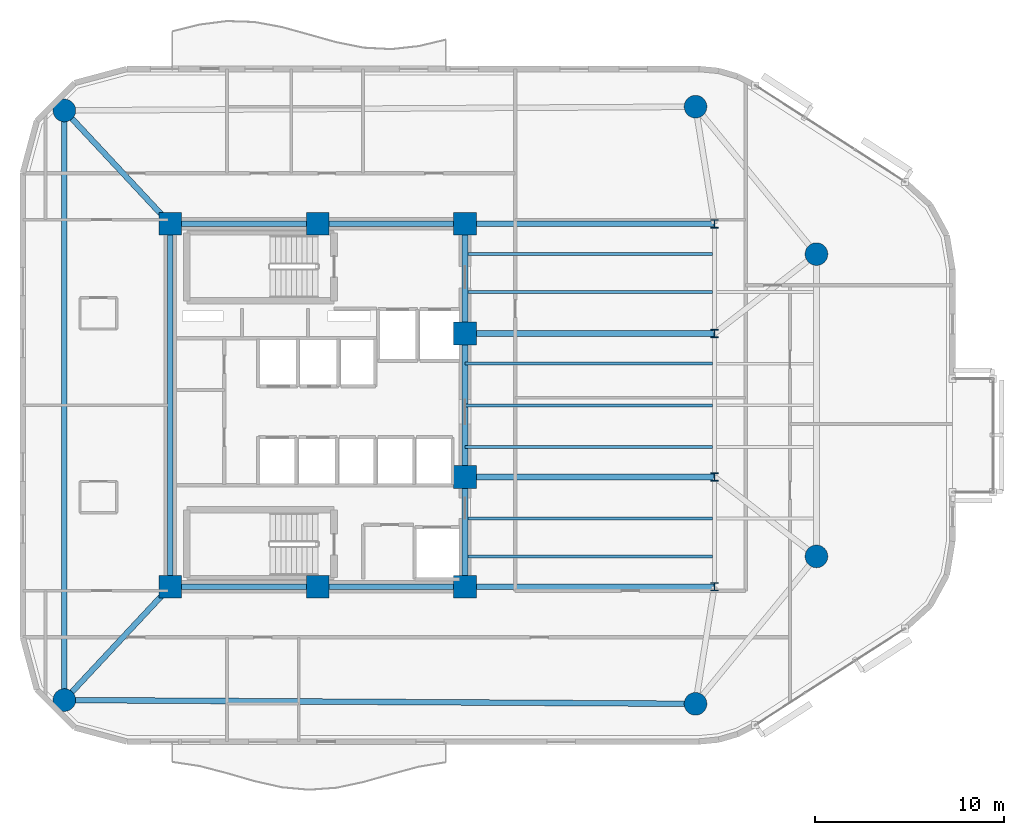
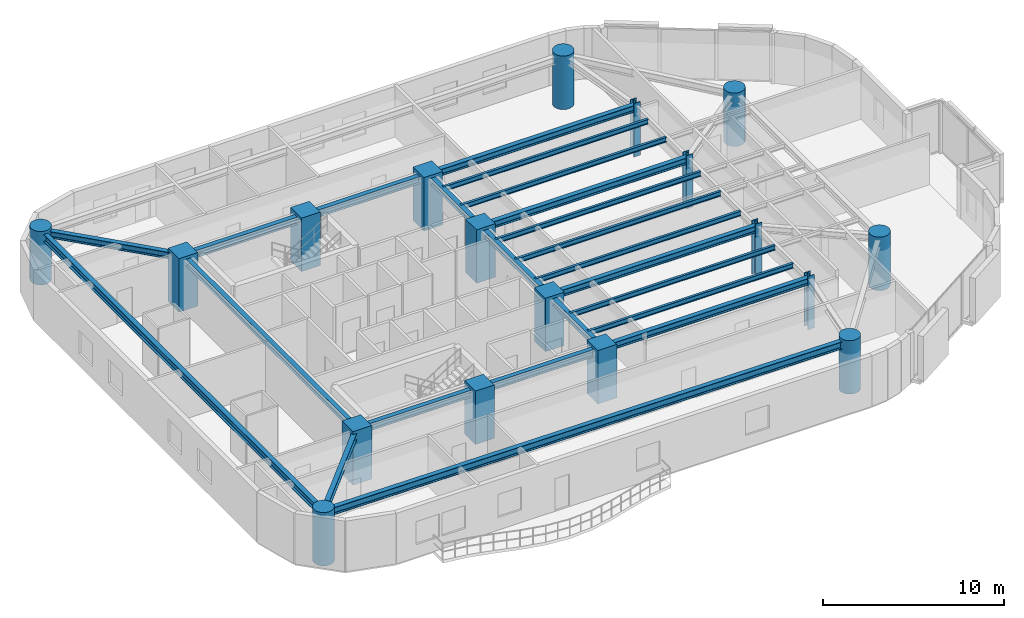
# One storey, part 1 of 16: 21 beams, 18 columns.
"""IFC4 building model written with IfcOpenShell, lengths in metres."""

from ifc_helpers import new_model, si_unit, direction, frame, origin, origin_2d, place, context, subcontext, project, spatial, rectangle, circle, i_section, extrude, material, material_profile, profile_set, type_object, element, save


model = new_model("IFC4")

# Units and contexts
model_context = context("Model", 3, precision=1e-05, world=origin(), true_north=direction((0.0, 1.0)))
body_context = subcontext(model_context, "Body", "Model", "MODEL_VIEW")
ifc_project = project(units=[si_unit("LENGTHUNIT", "METRE"), si_unit("AREAUNIT", "SQUARE_METRE"), si_unit("VOLUMEUNIT", "CUBIC_METRE"), si_unit("PLANEANGLEUNIT", "RADIAN"), si_unit("MASSUNIT", "GRAM", prefix="KILO")], contexts=[model_context])

# Site, building, storey
site_placement = place(None, origin())
site = spatial("IfcSite", under=ifc_project, at=site_placement, CompositionType="ELEMENT")
building_placement = place(site_placement, origin())
building = spatial("IfcBuilding", under=site, at=building_placement, Name="An Khanh Terracotta Commons", CompositionType="ELEMENT")
storey_placement = place(building_placement, frame((0.0, 0.0, 172.60009765625)))
storey = spatial("IfcBuildingStorey", under=building, at=storey_placement, Name="L45", CompositionType="ELEMENT", Elevation=172.60009765625)

# Columns
ifc_material_1 = material(Name="Concrete C60/75", Category="concrete")
ifc_material_profile_1 = material_profile(ifc_material_1, circle(Radius=0.60009765625, at=origin_2d()), Name="CFST1200")
ifc_profile_set_1 = profile_set([ifc_material_profile_1], Name="Concrete C60/75")
column_type_1 = type_object("IfcColumnType", Name="COL-CFST1200", PredefinedType="COLUMN", material=ifc_profile_set_1)
for number, where, z_axis, x_axis, name in (
    (1, (16.0, 8.39990234375, 0.0), (0.0, 0.0, 1.0), (1.0, 0.0, 0.0), "L45 Perimeter CFST Mega-Column MC-01"),
    (2, (49.39990234375, 8.199951171875, 0.0), (0.0, 0.0, 1.0), (1.0, 0.0, 0.0), "L45 Perimeter CFST Mega-Column MC-02"),
    (3, (55.800048828125, 16.0, 0.0), (0.0, 0.0, 1.0), (1.0, 0.0, 0.0), "L45 Perimeter CFST Mega-Column MC-03"),
    (4, (55.800048828125, 32.0, 0.0), (0.0, 0.0, 1.0), (1.0, 0.0, 0.0), "L45 Perimeter CFST Mega-Column MC-04"),
    (5, (49.39990234375, 39.800048828125, 0.0), (0.0, 0.0, 1.0), (1.0, 0.0, 0.0), "L45 Perimeter CFST Mega-Column MC-05"),
    (6, (16.0, 39.60009765625, 0.0), (0.0, 0.0, 1.0), (1.0, 0.0, 0.0), "L45 Perimeter CFST Mega-Column MC-06"),
):
    element("IfcColumn", number, at=place(storey_placement, frame(where, z_axis=z_axis, x_axis=x_axis)), inside=storey, type_object=column_type_1, Name=name, PredefinedType="COLUMN", context=body_context, shape_type="SweptSolid", body=[
        extrude(circle(Radius=0.60009765625, at=origin_2d()), origin(), (0.0, 0.0, 1.0), 3.599853515625),
    ])
ifc_material_2 = material(Name="Steel S460ML", Category="steel")
ifc_material_profile_2 = material_profile(ifc_material_2, i_section(OverallWidth=0.406005859375, OverallDepth=0.43994140625, WebThickness=0.02392578125, FlangeThickness=0.0390625, FilletRadius=0.014892578125, at=origin_2d()), Name="HD400x314")
ifc_profile_set_2 = profile_set([ifc_material_profile_2], Name="Steel S460ML")
column_type_2 = type_object("IfcColumnType", Name="COL-HD400x314", PredefinedType="COLUMN", material=ifc_profile_set_2)
for number, where, z_axis, x_axis, name in (
    (7, (50.39990234375, 14.39990234375, 0.0), (0.0, 0.0, 1.0), (1.0, 0.0, 0.0), "L45 Interior Frame Column TC-01"),
    (8, (50.39990234375, 20.199951171875, 0.0), (0.0, 0.0, 1.0), (1.0, 0.0, 0.0), "L45 Interior Frame Column TC-02"),
    (9, (50.39990234375, 27.800048828125, 0.0), (0.0, 0.0, 1.0), (1.0, 0.0, 0.0), "L45 Interior Frame Column TC-03"),
    (10, (50.39990234375, 33.60009765625, 0.0), (0.0, 0.0, 1.0), (1.0, 0.0, 0.0), "L45 Interior Frame Column TC-04"),
):
    element("IfcColumn", number, at=place(storey_placement, frame(where, z_axis=z_axis, x_axis=x_axis)), inside=storey, type_object=column_type_2, Name=name, PredefinedType="COLUMN", context=body_context, shape_type="SweptSolid", body=[
        extrude(i_section(OverallWidth=0.406005859375, OverallDepth=0.43994140625, WebThickness=0.02392578125, FlangeThickness=0.0390625, FilletRadius=0.014892578125, at=origin_2d()), origin(), (0.0, 0.0, 1.0), 3.599853515625),
    ])
ifc_material_profile_3 = material_profile(ifc_material_1, rectangle(XDim=1.199951171875, YDim=1.199951171875, at=origin_2d()), Name="RC1200x1200")
ifc_profile_set_3 = profile_set([ifc_material_profile_3], Name="Concrete C60/75")
column_type_3 = type_object("IfcColumnType", Name="COL-RC1200x1200", PredefinedType="COLUMN", material=ifc_profile_set_3)
for number, where, z_axis, x_axis, name in (
    (11, (21.60009765625, 14.39990234375, 0.0), (0.0, 0.0, 1.0), (1.0, 0.0, 0.0), "L45 Core Boundary Column CC-01"),
    (12, (29.39990234375, 14.39990234375, 0.0), (0.0, 0.0, 1.0), (1.0, 0.0, 0.0), "L45 Core Boundary Column CC-02"),
    (13, (37.199951171875, 14.39990234375, 0.0), (0.0, 0.0, 1.0), (1.0, 0.0, 0.0), "L45 Core Boundary Column CC-03"),
    (14, (37.199951171875, 20.199951171875, 0.0), (0.0, 0.0, 1.0), (1.0, 0.0, 0.0), "L45 Core Boundary Column CC-04"),
    (15, (37.199951171875, 27.800048828125, 0.0), (0.0, 0.0, 1.0), (1.0, 0.0, 0.0), "L45 Core Boundary Column CC-05"),
    (16, (37.199951171875, 33.60009765625, 0.0), (0.0, 0.0, 1.0), (1.0, 0.0, 0.0), "L45 Core Boundary Column CC-06"),
    (17, (29.39990234375, 33.60009765625, 0.0), (0.0, 0.0, 1.0), (1.0, 0.0, 0.0), "L45 Core Boundary Column CC-07"),
    (18, (21.60009765625, 33.60009765625, 0.0), (0.0, 0.0, 1.0), (1.0, 0.0, 0.0), "L45 Core Boundary Column CC-08"),
):
    element("IfcColumn", number, at=place(storey_placement, frame(where, z_axis=z_axis, x_axis=x_axis)), inside=storey, type_object=column_type_3, Name=name, PredefinedType="COLUMN", context=body_context, shape_type="SweptSolid", body=[
        extrude(rectangle(XDim=1.199951171875, YDim=1.199951171875, at=origin_2d()), origin(), (0.0, 0.0, 1.0), 3.599853515625),
    ])

# Beams
ifc_material_3 = material(Name="Steel S355J2", Category="steel")
ifc_material_profile_4 = material_profile(ifc_material_3, i_section(OverallWidth=0.300048828125, OverallDepth=0.449951171875, WebThickness=0.013916015625, FlangeThickness=0.02587890625, FilletRadius=0.027099609375, at=origin_2d()), Name="HEB450")
ifc_profile_set_4 = profile_set([ifc_material_profile_4], Name="Steel S355J2")
beam_type_1 = type_object("IfcBeamType", Name="BM-HEB450", PredefinedType="BEAM", material=ifc_profile_set_4)
beam_1_placement = place(storey_placement, frame((37.199951171875, 14.39990234375, 3.1748046875), z_axis=(0.0, 1.0, 0.0), x_axis=(-1.0, 0.0, 0.0)))
element("IfcBeam", 19, at=beam_1_placement, inside=storey, type_object=beam_type_1, Name="L45 Core East Coupling Girder 1", PredefinedType="BEAM", context=body_context, shape_type="SweptSolid", body=[
    extrude(i_section(OverallWidth=0.300048828125, OverallDepth=0.449951171875, WebThickness=0.013916015625, FlangeThickness=0.02587890625, FilletRadius=0.027099609375, at=origin_2d()), origin(), (0.0, 0.0, 1.0), 5.800048828125),
])
beam_2_placement = place(storey_placement, frame((37.199951171875, 20.199951171875, 3.1748046875), z_axis=(0.0, 1.0, 0.0), x_axis=(-1.0, 0.0, 0.0)))
element("IfcBeam", 20, at=beam_2_placement, inside=storey, type_object=beam_type_1, Name="L45 Core East Coupling Girder 2", PredefinedType="BEAM", context=body_context, shape_type="SweptSolid", body=[
    extrude(i_section(OverallWidth=0.300048828125, OverallDepth=0.449951171875, WebThickness=0.013916015625, FlangeThickness=0.02587890625, FilletRadius=0.027099609375, at=origin_2d()), origin(), (0.0, 0.0, 1.0), 7.60009765625),
])
beam_3_placement = place(storey_placement, frame((37.199951171875, 27.800048828125, 3.1748046875), z_axis=(0.0, 1.0, 0.0), x_axis=(-1.0, 0.0, 0.0)))
element("IfcBeam", 21, at=beam_3_placement, inside=storey, type_object=beam_type_1, Name="L45 Core East Coupling Girder 3", PredefinedType="BEAM", context=body_context, shape_type="SweptSolid", body=[
    extrude(i_section(OverallWidth=0.300048828125, OverallDepth=0.449951171875, WebThickness=0.013916015625, FlangeThickness=0.02587890625, FilletRadius=0.027099609375, at=origin_2d()), origin(), (0.0, 0.0, 1.0), 5.800048828125),
])
beam_4_placement = place(storey_placement, frame((21.60009765625, 14.39990234375, 3.1748046875), z_axis=(0.0, 1.0, 0.0), x_axis=(-1.0, 0.0, 0.0)))
element("IfcBeam", 22, at=beam_4_placement, inside=storey, type_object=beam_type_1, Name="L45 Core West Coupling Girder", PredefinedType="BEAM", context=body_context, shape_type="SweptSolid", body=[
    extrude(i_section(OverallWidth=0.300048828125, OverallDepth=0.449951171875, WebThickness=0.013916015625, FlangeThickness=0.02587890625, FilletRadius=0.027099609375, at=origin_2d()), origin(), (0.0, 0.0, 1.0), 19.2001953125),
])
for number, where, z_axis, x_axis, name in (
    (23, (37.199951171875, 14.39990234375, 3.1748046875), (1.0, 0.0, 0.0), (0.0, 1.0, 0.0), "L45 East Primary Floor Girder 1"),
    (24, (37.199951171875, 20.199951171875, 3.1748046875), (1.0, 0.0, 0.0), (0.0, 1.0, 0.0), "L45 East Primary Floor Girder 2"),
    (25, (37.199951171875, 27.800048828125, 3.1748046875), (1.0, 0.0, 0.0), (0.0, 1.0, 0.0), "L45 East Primary Floor Girder 3"),
    (26, (37.199951171875, 33.60009765625, 3.1748046875), (1.0, 0.0, 0.0), (0.0, 1.0, 0.0), "L45 East Primary Floor Girder 4"),
):
    element("IfcBeam", number, at=place(storey_placement, frame(where, z_axis=z_axis, x_axis=x_axis)), inside=storey, type_object=beam_type_1, Name=name, PredefinedType="BEAM", context=body_context, shape_type="SweptSolid", body=[
        extrude(i_section(OverallWidth=0.300048828125, OverallDepth=0.449951171875, WebThickness=0.013916015625, FlangeThickness=0.02587890625, FilletRadius=0.027099609375, at=origin_2d()), origin(), (0.0, 0.0, 1.0), 13.199951171875),
    ])
for number, where, z_axis, x_axis, name in (
    (27, (16.0, 8.39990234375, 3.1748046875), (0.682324609438, 0.731049333052, 0.0), (-0.731049333052, 0.682324609438, 0.0), "L45 Mega-Column Tie Girder 1"),
    (28, (16.0, 39.60009765625, 3.1748046875), (0.682324609438, -0.731049333052, 0.0), (0.731049333052, 0.682324609438, 0.0), "L45 Mega-Column Tie Girder 6"),
):
    element("IfcBeam", number, at=place(storey_placement, frame(where, z_axis=z_axis, x_axis=x_axis)), inside=storey, type_object=beam_type_1, Name=name, PredefinedType="BEAM", context=body_context, shape_type="SweptSolid", body=[
        extrude(i_section(OverallWidth=0.300048828125, OverallDepth=0.449951171875, WebThickness=0.013916015625, FlangeThickness=0.02587890625, FilletRadius=0.027099609375, at=origin_2d()), origin(), (0.0, 0.0, 1.0), 8.207275390625),
    ])
ifc_material_profile_5 = material_profile(ifc_material_3, i_section(OverallWidth=0.300048828125, OverallDepth=0.5, WebThickness=0.014404296875, FlangeThickness=0.028076171875, FilletRadius=0.027099609375, at=origin_2d()), Name="HEB500")
ifc_profile_set_5 = profile_set([ifc_material_profile_5], Name="Steel S355J2")
beam_type_2 = type_object("IfcBeamType", Name="BM-HEB500", PredefinedType="BEAM", material=ifc_profile_set_5)
for number, where, z_axis, x_axis, name in (
    (29, (21.60009765625, 14.39990234375, 3.14990234375), (1.0, 0.0, 0.0), (0.0, 1.0, 0.0), "L45 Core South Coupling Girder"),
    (30, (21.60009765625, 33.60009765625, 3.14990234375), (1.0, 0.0, 0.0), (0.0, 1.0, 0.0), "L45 Core North Coupling Girder"),
):
    element("IfcBeam", number, at=place(storey_placement, frame(where, z_axis=z_axis, x_axis=x_axis)), inside=storey, type_object=beam_type_2, Name=name, PredefinedType="BEAM", context=body_context, shape_type="SweptSolid", body=[
        extrude(i_section(OverallWidth=0.300048828125, OverallDepth=0.5, WebThickness=0.014404296875, FlangeThickness=0.028076171875, FilletRadius=0.027099609375, at=origin_2d()), origin(), (0.0, 0.0, 1.0), 15.599853515625),
    ])
beam_5_placement = place(storey_placement, frame((16.0, 8.39990234375, 3.14990234375), z_axis=(0.999982080914, -0.005986472262, 0.0), x_axis=(0.005986472262, 0.999982080914, 0.0)))
element("IfcBeam", 31, at=beam_5_placement, inside=storey, type_object=beam_type_2, Name="L45 Perimeter Ring Spandrel 1", PredefinedType="BEAM", context=body_context, shape_type="SweptSolid", body=[
    extrude(i_section(OverallWidth=0.300048828125, OverallDepth=0.5, WebThickness=0.014404296875, FlangeThickness=0.028076171875, FilletRadius=0.027099609375, at=origin_2d()), origin(), (0.0, 0.0, 1.0), 33.400390625),
])
beam_6_placement = place(storey_placement, frame((16.0, 39.60009765625, 3.14990234375), z_axis=(0.0, -1.0, 0.0), x_axis=(1.0, 0.0, 0.0)))
element("IfcBeam", 32, at=beam_6_placement, inside=storey, type_object=beam_type_2, Name="L45 Perimeter Ring Spandrel 6", PredefinedType="BEAM", context=body_context, shape_type="SweptSolid", body=[
    extrude(i_section(OverallWidth=0.300048828125, OverallDepth=0.5, WebThickness=0.014404296875, FlangeThickness=0.028076171875, FilletRadius=0.027099609375, at=origin_2d()), origin(), (0.0, 0.0, 1.0), 31.2001953125),
])
ifc_material_profile_6 = material_profile(ifc_material_3, i_section(OverallWidth=0.159912109375, OverallDepth=0.330078125, WebThickness=0.007568359375, FlangeThickness=0.011474609375, FilletRadius=0.01806640625, at=origin_2d()), Name="IPE330")
ifc_profile_set_6 = profile_set([ifc_material_profile_6], Name="Steel S355J2")
beam_type_3 = type_object("IfcBeamType", Name="BM-IPE330", PredefinedType="JOIST", material=ifc_profile_set_6)
for number, where, z_axis, x_axis, name in (
    (33, (37.199951171875, 16.0, 3.23486328125), (1.0, 0.0, 0.0), (0.0, 1.0, 0.0), "L45 Inboard Composite Joist 1"),
    (34, (37.199951171875, 18.0, 3.23486328125), (1.0, 0.0, 0.0), (0.0, 1.0, 0.0), "L45 Inboard Composite Joist 2"),
    (35, (37.199951171875, 21.800048828125, 3.23486328125), (1.0, 0.0, 0.0), (0.0, 1.0, 0.0), "L45 Inboard Composite Joist 3"),
    (36, (37.199951171875, 24.0, 3.23486328125), (1.0, 0.0, 0.0), (0.0, 1.0, 0.0), "L45 Inboard Composite Joist 4"),
    (37, (37.199951171875, 26.199951171875, 3.23486328125), (1.0, 0.0, 0.0), (0.0, 1.0, 0.0), "L45 Inboard Composite Joist 5"),
    (38, (37.199951171875, 30.0, 3.23486328125), (1.0, 0.0, 0.0), (0.0, 1.0, 0.0), "L45 Inboard Composite Joist 6"),
    (39, (37.199951171875, 32.0, 3.23486328125), (1.0, 0.0, 0.0), (0.0, 1.0, 0.0), "L45 Inboard Composite Joist 7"),
):
    element("IfcBeam", number, at=place(storey_placement, frame(where, z_axis=z_axis, x_axis=x_axis)), inside=storey, type_object=beam_type_3, Name=name, PredefinedType="JOIST", context=body_context, shape_type="SweptSolid", body=[
        extrude(i_section(OverallWidth=0.159912109375, OverallDepth=0.330078125, WebThickness=0.007568359375, FlangeThickness=0.011474609375, FilletRadius=0.01806640625, at=origin_2d()), origin(), (0.0, 0.0, 1.0), 13.10009765625),
    ])

save(model, "model.ifc")
